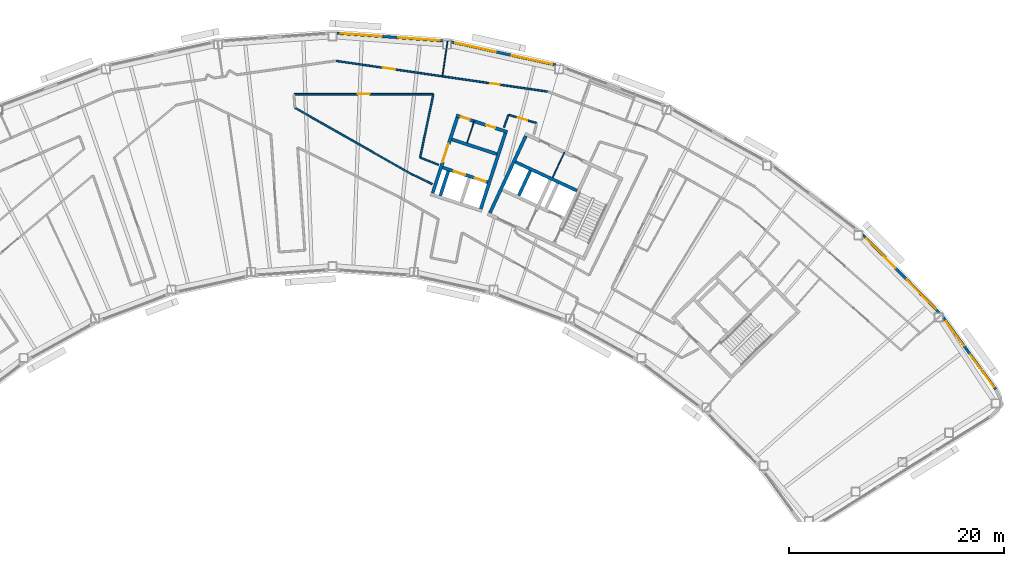
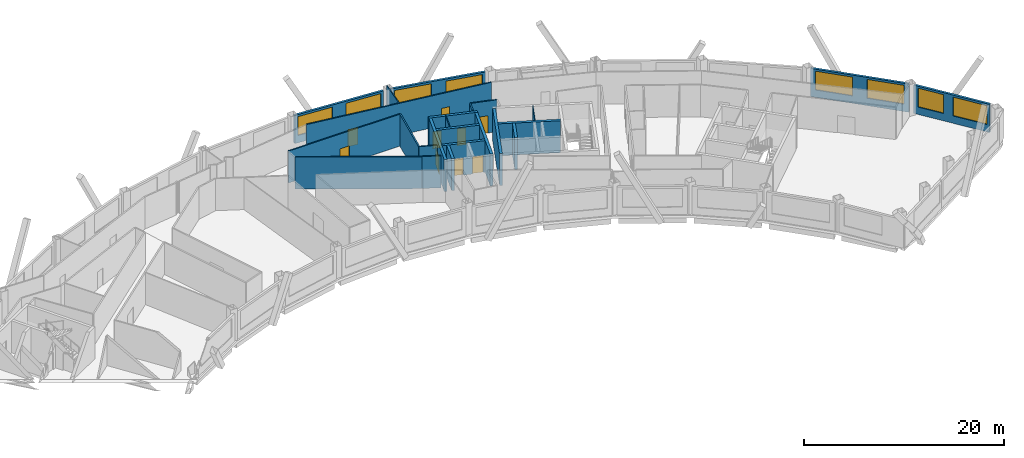
# One storey, part 10 of 14: 24 walls, 9 doors, 8 windows, 17 openings.
"""IFC4 building model written with IfcOpenShell, lengths in metres."""

from ifc_helpers import new_model, si_unit, direction, frame, frame_2d, origin, place, context, subcontext, project, spatial, rectangle, extrude, material, layer, layer_set, type_object, element, fill, save


model = new_model("IFC4")

# Units and contexts
model_context = context("Model", 3, precision=1e-05, world=origin(), true_north=direction((0.0, 1.0)))
body_context = subcontext(model_context, "Body", "Model", "MODEL_VIEW")
ifc_project = project(units=[si_unit("LENGTHUNIT", "METRE"), si_unit("AREAUNIT", "SQUARE_METRE"), si_unit("VOLUMEUNIT", "CUBIC_METRE"), si_unit("PLANEANGLEUNIT", "RADIAN"), si_unit("MASSUNIT", "GRAM", prefix="KILO")], contexts=[model_context])

# Site, building, storey
site_placement = place(None, origin())
site = spatial("IfcSite", under=ifc_project, at=site_placement, CompositionType="ELEMENT")
building_placement = place(site_placement, origin())
building = spatial("IfcBuilding", under=site, at=building_placement, Name="Tuul Gate Civic Tower", CompositionType="ELEMENT")
storey_placement = place(building_placement, frame((0.0, 0.0, 265.199951171875)))
storey = spatial("IfcBuildingStorey", under=building, at=storey_placement, Name="Level 60", CompositionType="ELEMENT", Elevation=265.199951171875)

# Walls
ifc_material_1 = material(Name="Concrete C50/60", Category="concrete")
ifc_layer_1 = layer(ifc_material_1, 0.300048828125)
ifc_layer_set_1 = layer_set([ifc_layer_1], Name="Concrete C50/60")
wall_type_1 = type_object("IfcWallType", Name="Core wall C50/60", PredefinedType="SHEAR", material=ifc_layer_set_1)
wall_1_placement = place(storey_placement, frame((33.75, -0.873779296875, 0.0), z_axis=(0.0, 0.0, 1.0), x_axis=(-0.906300917592, 0.422632992999, 0.0)))
element("IfcWall", 1, at=wall_1_placement, inside=storey, type_object=wall_type_1, Name="Core wall", PredefinedType="SHEAR", context=body_context, shape_type="SweptSolid", body=[
    extrude(rectangle(XDim=6.300048828125, YDim=0.300048828125, at=frame_2d((3.14990234375, 0.0))), origin(), (0.0, 0.0, 1.0), 3.900146484375),
])
wall_2_placement = place(storey_placement, frame((28.349365234375, -1.33447265625, 0.0), z_axis=(0.0, 0.0, 1.0), x_axis=(0.422612891016, 0.906310291427, 0.0)))
element("IfcWall", 2, at=wall_2_placement, inside=storey, type_object=wall_type_1, Name="Core wall", PredefinedType="SHEAR", context=body_context, shape_type="SweptSolid", body=[
    extrude(rectangle(XDim=2.550048828125, YDim=0.300048828125, at=frame_2d((1.27490234375, 0.0))), origin(), (0.0, 0.0, 1.0), 3.900146484375),
])
wall_3_placement = place(storey_placement, frame((25.66455078125, -2.951416015625, 0.0), z_axis=(0.0, 0.0, 1.0), x_axis=(0.422582604137, 0.906324413596, 0.0)))
element("IfcWall", 3, at=wall_3_placement, inside=storey, type_object=wall_type_1, Name="Core wall", PredefinedType="SHEAR", context=body_context, shape_type="SweptSolid", body=[
    extrude(rectangle(XDim=7.89990234375, YDim=0.300048828125, at=frame_2d((3.949951171875, 0.0))), origin(), (0.0, 0.0, 1.0), 3.900146484375),
])

# Wall, openings, doors
ifc_material_2 = material(Name="Gypsum board partition")
ifc_layer_2 = layer(ifc_material_2, 0.14990234375)
ifc_layer_set_2 = layer_set([ifc_layer_2], Name="Gypsum board partition")
wall_type_2 = type_object("IfcWallType", Name="Corridor wall P150", PredefinedType="PARTITIONING", material=ifc_layer_set_2)
wall_4_placement = place(storey_placement, frame((11.341064453125, 11.19580078125, 0.0), z_axis=(0.0, 0.0, 1.0), x_axis=(0.989615961435, -0.143736734602, 0.0)))
wall_4 = element("IfcWall", 4, at=wall_4_placement, inside=storey, type_object=wall_type_2, Name="p014", PredefinedType="PARTITIONING", context=body_context, shape_type="SweptSolid", body=[
    extrude(rectangle(XDim=19.92529296875, YDim=0.14990234375, at=frame_2d((9.962646484375, 0.0))), origin(), (0.0, 0.0, 1.0), 3.900146484375),
])
opening_1_placement = place(wall_4_placement, frame((14.52001953125, 0.0, 0.0)))
opening_1 = element("IfcOpeningElement", 5, at=opening_1_placement, cuts=wall_4, Name="Opening V-D03", PredefinedType="OPENING", context=body_context, shape_type="SweptSolid", body=[
    extrude(rectangle(XDim=0.89990234375, YDim=2.10009765625, at=frame_2d((0.449951171875, 1.050048828125))), frame((0.0, 0.0849609375, 0.0), z_axis=(0.0, -1.0, 0.0), x_axis=(1.0, 0.0, 0.0)), (0.0, 0.0, 1.0), 0.169921875),
])
opening_2_placement = place(wall_4_placement, frame((4.457275390625, 0.0, 0.0)))
opening_2 = element("IfcOpeningElement", 6, at=opening_2_placement, cuts=wall_4, Name="Opening V-D04", PredefinedType="OPENING", context=body_context, shape_type="SweptSolid", body=[
    extrude(rectangle(XDim=1.10009765625, YDim=2.10009765625, at=frame_2d((0.550048828125, 1.050048828125))), frame((0.0, 0.0849609375, 0.0), z_axis=(0.0, -1.0, 0.0), x_axis=(1.0, 0.0, 0.0)), (0.0, 0.0, 1.0), 0.169921875),
])
ifc_material_3 = material(Name="Timber door leaf", Category="wood")
door_type_1 = type_object("IfcDoorType", Name="Door D09", OperationType="NOTDEFINED", PredefinedType="DOOR", material=ifc_material_3)
door_1_placement = place(opening_1_placement, origin())
door_1 = element("IfcDoor", 7, at=door_1_placement, inside=storey, type_object=door_type_1, Name="Door V-D03", OperationType="SINGLE_SWING_RIGHT", OverallHeight=2.10009765625, OverallWidth=0.89990234375, PredefinedType="DOOR", context=body_context, shape_type="SweptSolid", body=[
    extrude(rectangle(XDim=0.89990234375, YDim=2.10009765625, at=frame_2d((0.449951171875, 1.050048828125))), frame((0.0, 0.02490234375, 0.0), z_axis=(0.0, -1.0, 0.0), x_axis=(1.0, 0.0, 0.0)), (0.0, 0.0, 1.0), 0.050048828125),
])
fill(opening_1, door_1)
ifc_material_4 = material(Name="Timber door leaf", Category="wood")
door_type_2 = type_object("IfcDoorType", Name="Door D11", OperationType="NOTDEFINED", PredefinedType="DOOR", material=ifc_material_4)
door_2_placement = place(opening_2_placement, origin())
door_2 = element("IfcDoor", 8, at=door_2_placement, inside=storey, type_object=door_type_2, Name="Door V-D04", OperationType="SINGLE_SWING_RIGHT", OverallHeight=2.10009765625, OverallWidth=1.10009765625, PredefinedType="DOOR", context=body_context, shape_type="SweptSolid", body=[
    extrude(rectangle(XDim=1.10009765625, YDim=2.10009765625, at=frame_2d((0.550048828125, 1.050048828125))), frame((0.0, 0.02490234375, 0.0), z_axis=(0.0, -1.0, 0.0), x_axis=(1.0, 0.0, 0.0)), (0.0, 0.0, 1.0), 0.050048828125),
])
fill(opening_2, door_2)

# Walls
wall_5_placement = place(storey_placement, frame((7.5400390625, 6.827880859375, 0.0), z_axis=(0.0, 0.0, 1.0), x_axis=(0.869039882895, -0.494742035749, 0.0)))
element("IfcWall", 9, at=wall_5_placement, inside=storey, type_object=wall_type_2, Name="p022", PredefinedType="PARTITIONING", context=body_context, shape_type="SweptSolid", body=[
    extrude(rectangle(XDim=12.6728515625, YDim=0.14990234375, at=frame_2d((6.33642578125, 0.0))), origin(), (0.0, 0.0, 1.0), 3.900146484375),
])
wall_6_placement = place(storey_placement, frame((18.566162109375, 0.58154296875, 0.0), z_axis=(0.0, 0.0, 1.0), x_axis=(0.899119721773, -0.437702782625, 0.0)))
element("IfcWall", 10, at=wall_6_placement, inside=storey, type_object=wall_type_2, Name="p029", PredefinedType="PARTITIONING", context=body_context, shape_type="SweptSolid", body=[
    extrude(rectangle(XDim=1.935546875, YDim=0.14990234375, at=frame_2d((0.9677734375, 0.0))), origin(), (0.0, 0.0, 1.0), 3.900146484375),
])
wall_7_placement = place(storey_placement, frame((26.982421875, 4.993896484375, 0.0), z_axis=(0.0, 0.0, 1.0), x_axis=(0.321299495515, 0.9469776313, 0.0)))
element("IfcWall", 11, at=wall_7_placement, inside=storey, type_object=wall_type_2, Name="p082", PredefinedType="PARTITIONING", context=body_context, shape_type="SweptSolid", body=[
    extrude(rectangle(XDim=1.24072265625, YDim=0.14990234375, at=frame_2d((0.620361328125, 0.0))), origin(), (0.0, 0.0, 1.0), 3.900146484375),
])

# Wall, opening, door
wall_8_placement = place(storey_placement, frame((27.40576171875, 6.181640625, 0.0), z_axis=(0.0, 0.0, 1.0), x_axis=(0.958790837754, -0.284112881508, 0.0)))
wall_8 = element("IfcWall", 12, at=wall_8_placement, inside=storey, type_object=wall_type_2, Name="p083", PredefinedType="PARTITIONING", context=body_context, shape_type="SweptSolid", body=[
    extrude(rectangle(XDim=2.70849609375, YDim=0.14990234375, at=frame_2d((1.354248046875, 0.0))), origin(), (0.0, 0.0, 1.0), 3.900146484375),
])
opening_3_placement = place(wall_8_placement, frame((0.904296875, 0.0, 0.0)))
opening_3 = element("IfcOpeningElement", 13, at=opening_3_placement, cuts=wall_8, Name="Opening V-D16", PredefinedType="OPENING", context=body_context, shape_type="SweptSolid", body=[
    extrude(rectangle(XDim=0.89990234375, YDim=2.10009765625, at=frame_2d((0.449951171875, 1.050048828125))), frame((0.0, 0.0849609375, 0.0), z_axis=(0.0, -1.0, 0.0), x_axis=(1.0, 0.0, 0.0)), (0.0, 0.0, 1.0), 0.169921875),
])
door_3_placement = place(opening_3_placement, frame((0.89990234375, 0.0, 0.0), z_axis=(0.0, 0.0, 1.0), x_axis=(-1.0, 0.0, 0.0)))
door_3 = element("IfcDoor", 14, at=door_3_placement, inside=storey, type_object=door_type_1, Name="Door V-D16", OperationType="SINGLE_SWING_LEFT", OverallHeight=2.10009765625, OverallWidth=0.89990234375, PredefinedType="DOOR", context=body_context, shape_type="SweptSolid", body=[
    extrude(rectangle(XDim=0.89990234375, YDim=2.10009765625, at=frame_2d((0.449951171875, 1.050048828125))), frame((0.0, 0.02490234375, 0.0), z_axis=(0.0, -1.0, 0.0), x_axis=(1.0, 0.0, 0.0)), (0.0, 0.0, 1.0), 0.050048828125),
])
fill(opening_3, door_3)

wall_9_placement = place(storey_placement, frame((7.464111328125, 8.092529296875, 0.0), z_axis=(0.0, 0.0, 1.0), x_axis=(0.999999999286, 3.7795752e-05, 0.0)))
wall_9 = element("IfcWall", 15, at=wall_9_placement, inside=storey, type_object=wall_type_2, Name="p095", PredefinedType="PARTITIONING", context=body_context, shape_type="SweptSolid", body=[
    extrude(rectangle(XDim=12.9189453125, YDim=0.14990234375, at=frame_2d((6.45947265625, 0.0))), origin(), (0.0, 0.0, 1.0), 3.900146484375),
])
opening_4_placement = place(wall_9_placement, frame((5.909423828125, 0.0, 0.0)))
opening_4 = element("IfcOpeningElement", 16, at=opening_4_placement, cuts=wall_9, Name="Opening V-D21", PredefinedType="OPENING", context=body_context, shape_type="SweptSolid", body=[
    extrude(rectangle(XDim=1.10009765625, YDim=2.10009765625, at=frame_2d((0.550048828125, 1.050048828125))), frame((0.0, 0.0849609375, 0.0), z_axis=(0.0, -1.0, 0.0), x_axis=(1.0, 0.0, 0.0)), (0.0, 0.0, 1.0), 0.169921875),
])
door_4_placement = place(opening_4_placement, frame((1.10009765625, 0.0, 0.0), z_axis=(0.0, 0.0, 1.0), x_axis=(-1.0, 0.0, 0.0)))
door_4 = element("IfcDoor", 17, at=door_4_placement, inside=storey, type_object=door_type_2, Name="Door V-D21", OperationType="SINGLE_SWING_LEFT", OverallHeight=2.10009765625, OverallWidth=1.10009765625, PredefinedType="DOOR", context=body_context, shape_type="SweptSolid", body=[
    extrude(rectangle(XDim=1.10009765625, YDim=2.10009765625, at=frame_2d((0.550048828125, 1.050048828125))), frame((0.0, 0.02490234375, 0.0), z_axis=(0.0, -1.0, 0.0), x_axis=(1.0, 0.0, 0.0)), (0.0, 0.0, 1.0), 0.050048828125),
])
fill(opening_4, door_4)

# Walls
wall_10_placement = place(storey_placement, frame((19.179443359375, 2.2119140625, 0.0), z_axis=(0.0, 0.0, 1.0), x_axis=(0.204426766244, 0.978881860718, 0.0)))
element("IfcWall", 18, at=wall_10_placement, inside=storey, type_object=wall_type_2, Name="p096", PredefinedType="PARTITIONING", context=body_context, shape_type="SweptSolid", body=[
    extrude(rectangle(XDim=5.9833984375, YDim=0.14990234375, at=frame_2d((2.99169921875, 0.0))), origin(), (0.0, 0.0, 1.0), 3.900146484375),
])
wall_11_placement = place(storey_placement, frame((19.179931640625, 2.211181640625, 0.0), z_axis=(0.0, 0.0, 1.0), x_axis=(0.928632455331, -0.371001028175, 0.0)))
element("IfcWall", 19, at=wall_11_placement, inside=storey, type_object=wall_type_2, Name="p097", PredefinedType="PARTITIONING", context=body_context, shape_type="SweptSolid", body=[
    extrude(rectangle(XDim=1.836669921875, YDim=0.14990234375, at=frame_2d((0.91845703125, 0.0))), origin(), (0.0, 0.0, 1.0), 3.900146484375),
])

# Wall, openings, windows
ifc_material_5 = material(Name="Precast concrete C40/50", Category="concrete")
ifc_layer_3 = layer(ifc_material_5, 0.25)
ifc_layer_set_3 = layer_set([ifc_layer_3], Name="Precast concrete C40/50")
wall_type_3 = type_object("IfcWallType", Name="External wall", PredefinedType="STANDARD", material=ifc_layer_set_3)
wall_12_placement = place(storey_placement, frame((72.719970703125, -19.37060546875, 0.0), z_axis=(0.0, 0.0, 1.0), x_axis=(-0.589821256366, 0.807533829346, 0.0)))
wall_12 = element("IfcWall", 20, at=wall_12_placement, inside=storey, type_object=wall_type_3, Name="External wall", PredefinedType="STANDARD", context=body_context, shape_type="SweptSolid", body=[
    extrude(rectangle(XDim=8.33642578125, YDim=0.25, at=frame_2d((4.168212890625, 0.0))), origin(), (0.0, 0.0, 1.0), 3.449951171875),
])
opening_5_placement = place(wall_12_placement, frame((0.30078125, 0.0, 0.89990234375)))
opening_5 = element("IfcOpeningElement", 21, at=opening_5_placement, cuts=wall_12, Name="Opening W21", PredefinedType="OPENING", context=body_context, shape_type="SweptSolid", body=[
    extrude(rectangle(XDim=3.699951171875, YDim=2.300048828125, at=frame_2d((1.85009765625, 1.14990234375))), frame((0.0, 0.135009765625, 0.0), z_axis=(0.0, -1.0, 0.0), x_axis=(1.0, 0.0, 0.0)), (0.0, 0.0, 1.0), 0.27001953125),
])
opening_6_placement = place(wall_12_placement, frame((5.052001953125, 0.0, 0.89990234375)))
opening_6 = element("IfcOpeningElement", 22, at=opening_6_placement, cuts=wall_12, Name="Opening W23", PredefinedType="OPENING", context=body_context, shape_type="SweptSolid", body=[
    extrude(rectangle(XDim=2.800048828125, YDim=2.300048828125, at=frame_2d((1.39990234375, 1.14990234375))), frame((0.0, 0.135009765625, 0.0), z_axis=(0.0, -1.0, 0.0), x_axis=(1.0, 0.0, 0.0)), (0.0, 0.0, 1.0), 0.27001953125),
])
ifc_material_6 = material(Name="Glass", Category="glass")
window_type_1 = type_object("IfcWindowType", Name="Window W21 3700 x 2300", PartitioningType="SINGLE_PANEL", PredefinedType="WINDOW", material=ifc_material_6)
window_1_placement = place(opening_5_placement, origin())
window_1 = element("IfcWindow", 23, at=window_1_placement, inside=storey, type_object=window_type_1, Name="Window", OverallHeight=2.300048828125, OverallWidth=3.699951171875, PartitioningType="SINGLE_PANEL", PredefinedType="WINDOW", context=body_context, shape_type="SweptSolid", body=[
    extrude(rectangle(XDim=3.699951171875, YDim=2.300048828125, at=frame_2d((1.85009765625, 1.14990234375))), frame((0.0, 0.030029296875, 0.0), z_axis=(0.0, -1.0, 0.0), x_axis=(1.0, 0.0, 0.0)), (0.0, 0.0, 1.0), 0.06005859375),
])
fill(opening_5, window_1)
ifc_material_7 = material(Name="Glass", Category="glass")
window_type_2 = type_object("IfcWindowType", Name="Window W23 2800 x 2300", PartitioningType="SINGLE_PANEL", PredefinedType="WINDOW", material=ifc_material_7)
window_2_placement = place(opening_6_placement, origin())
window_2 = element("IfcWindow", 24, at=window_2_placement, inside=storey, type_object=window_type_2, Name="Window", OverallHeight=2.300048828125, OverallWidth=2.800048828125, PartitioningType="SINGLE_PANEL", PredefinedType="WINDOW", context=body_context, shape_type="SweptSolid", body=[
    extrude(rectangle(XDim=2.800048828125, YDim=2.300048828125, at=frame_2d((1.39990234375, 1.14990234375))), frame((0.0, 0.030029296875, 0.0), z_axis=(0.0, -1.0, 0.0), x_axis=(1.0, 0.0, 0.0)), (0.0, 0.0, 1.0), 0.06005859375),
])
fill(opening_6, window_2)

wall_13_placement = place(storey_placement, frame((67.466064453125, -12.241943359375, 0.0), z_axis=(0.0, 0.0, 1.0), x_axis=(-0.700008693155, 0.714134321754, 0.0)))
wall_13 = element("IfcWall", 25, at=wall_13_placement, inside=storey, type_object=wall_type_3, Name="External wall", PredefinedType="STANDARD", context=body_context, shape_type="SweptSolid", body=[
    extrude(rectangle(XDim=10.197265625, YDim=0.25, at=frame_2d((5.0986328125, 0.0))), origin(), (0.0, 0.0, 1.0), 3.449951171875),
])
opening_7_placement = place(wall_13_placement, frame((0.487060546875, 0.0, 0.89990234375)))
opening_7 = element("IfcOpeningElement", 26, at=opening_7_placement, cuts=wall_13, Name="Opening W22", PredefinedType="OPENING", context=body_context, shape_type="SweptSolid", body=[
    extrude(rectangle(XDim=3.85009765625, YDim=2.300048828125, at=frame_2d((1.925048828125, 1.14990234375))), frame((0.0, 0.135009765625, 0.0), z_axis=(0.0, -1.0, 0.0), x_axis=(1.0, 0.0, 0.0)), (0.0, 0.0, 1.0), 0.27001953125),
])
opening_8_placement = place(wall_13_placement, frame((5.8583984375, 0.0, 0.89990234375)))
opening_8 = element("IfcOpeningElement", 27, at=opening_8_placement, cuts=wall_13, Name="Opening W22", PredefinedType="OPENING", context=body_context, shape_type="SweptSolid", body=[
    extrude(rectangle(XDim=3.85009765625, YDim=2.300048828125, at=frame_2d((1.925048828125, 1.14990234375))), frame((0.0, 0.135009765625, 0.0), z_axis=(0.0, -1.0, 0.0), x_axis=(1.0, 0.0, 0.0)), (0.0, 0.0, 1.0), 0.27001953125),
])
ifc_material_8 = material(Name="Glass", Category="glass")
window_type_3 = type_object("IfcWindowType", Name="Window W22 3850 x 2300", PartitioningType="SINGLE_PANEL", PredefinedType="WINDOW", material=ifc_material_8)
window_3_placement = place(opening_7_placement, origin())
window_3 = element("IfcWindow", 28, at=window_3_placement, inside=storey, type_object=window_type_3, Name="Window", OverallHeight=2.300048828125, OverallWidth=3.85009765625, PartitioningType="SINGLE_PANEL", PredefinedType="WINDOW", context=body_context, shape_type="SweptSolid", body=[
    extrude(rectangle(XDim=3.85009765625, YDim=2.300048828125, at=frame_2d((1.925048828125, 1.14990234375))), frame((0.0, 0.030029296875, 0.0), z_axis=(0.0, -1.0, 0.0), x_axis=(1.0, 0.0, 0.0)), (0.0, 0.0, 1.0), 0.06005859375),
])
fill(opening_7, window_3)
window_4_placement = place(opening_8_placement, origin())
window_4 = element("IfcWindow", 29, at=window_4_placement, inside=storey, type_object=window_type_3, Name="Window", OverallHeight=2.300048828125, OverallWidth=3.85009765625, PartitioningType="SINGLE_PANEL", PredefinedType="WINDOW", context=body_context, shape_type="SweptSolid", body=[
    extrude(rectangle(XDim=3.85009765625, YDim=2.300048828125, at=frame_2d((1.925048828125, 1.14990234375))), frame((0.0, 0.030029296875, 0.0), z_axis=(0.0, -1.0, 0.0), x_axis=(1.0, 0.0, 0.0)), (0.0, 0.0, 1.0), 0.06005859375),
])
fill(opening_8, window_4)

wall_14_placement = place(storey_placement, frame((31.80029296875, 10.804931640625, 0.0), z_axis=(0.0, 0.0, 1.0), x_axis=(-0.976562454365, 0.215234227585, 0.0)))
wall_14 = element("IfcWall", 30, at=wall_14_placement, inside=storey, type_object=wall_type_3, Name="External wall", PredefinedType="STANDARD", context=body_context, shape_type="SweptSolid", body=[
    extrude(rectangle(XDim=9.95361328125, YDim=0.25, at=frame_2d((4.976806640625, 0.0))), origin(), (0.0, 0.0, 1.0), 3.449951171875),
])
opening_9_placement = place(wall_14_placement, frame((0.34228515625, 0.0, 0.89990234375)))
opening_9 = element("IfcOpeningElement", 31, at=opening_9_placement, cuts=wall_14, Name="Opening W22", PredefinedType="OPENING", context=body_context, shape_type="SweptSolid", body=[
    extrude(rectangle(XDim=3.85009765625, YDim=2.300048828125, at=frame_2d((1.925048828125, 1.14990234375))), frame((0.0, 0.135009765625, 0.0), z_axis=(0.0, -1.0, 0.0), x_axis=(1.0, 0.0, 0.0)), (0.0, 0.0, 1.0), 0.27001953125),
])
opening_10_placement = place(wall_14_placement, frame((5.713623046875, 0.0, 0.89990234375)))
opening_10 = element("IfcOpeningElement", 32, at=opening_10_placement, cuts=wall_14, Name="Opening W22", PredefinedType="OPENING", context=body_context, shape_type="SweptSolid", body=[
    extrude(rectangle(XDim=3.85009765625, YDim=2.300048828125, at=frame_2d((1.925048828125, 1.14990234375))), frame((0.0, 0.135009765625, 0.0), z_axis=(0.0, -1.0, 0.0), x_axis=(1.0, 0.0, 0.0)), (0.0, 0.0, 1.0), 0.27001953125),
])
window_5_placement = place(opening_9_placement, origin())
window_5 = element("IfcWindow", 33, at=window_5_placement, inside=storey, type_object=window_type_3, Name="Window", OverallHeight=2.300048828125, OverallWidth=3.85009765625, PartitioningType="SINGLE_PANEL", PredefinedType="WINDOW", context=body_context, shape_type="SweptSolid", body=[
    extrude(rectangle(XDim=3.85009765625, YDim=2.300048828125, at=frame_2d((1.925048828125, 1.14990234375))), frame((0.0, 0.030029296875, 0.0), z_axis=(0.0, -1.0, 0.0), x_axis=(1.0, 0.0, 0.0)), (0.0, 0.0, 1.0), 0.06005859375),
])
fill(opening_9, window_5)
window_6_placement = place(opening_10_placement, origin())
window_6 = element("IfcWindow", 34, at=window_6_placement, inside=storey, type_object=window_type_3, Name="Window", OverallHeight=2.300048828125, OverallWidth=3.85009765625, PartitioningType="SINGLE_PANEL", PredefinedType="WINDOW", context=body_context, shape_type="SweptSolid", body=[
    extrude(rectangle(XDim=3.85009765625, YDim=2.300048828125, at=frame_2d((1.925048828125, 1.14990234375))), frame((0.0, 0.030029296875, 0.0), z_axis=(0.0, -1.0, 0.0), x_axis=(1.0, 0.0, 0.0)), (0.0, 0.0, 1.0), 0.06005859375),
])
fill(opening_10, window_6)

wall_15_placement = place(storey_placement, frame((21.280029296875, 13.057373046875, 0.0), z_axis=(0.0, 0.0, 1.0), x_axis=(-0.99738717169, 0.072241468338, 0.0)))
wall_15 = element("IfcWall", 35, at=wall_15_placement, inside=storey, type_object=wall_type_3, Name="External wall", PredefinedType="STANDARD", context=body_context, shape_type="SweptSolid", body=[
    extrude(rectangle(XDim=9.875, YDim=0.25, at=frame_2d((4.9375, 0.0))), origin(), (0.0, 0.0, 1.0), 3.449951171875),
])
opening_11_placement = place(wall_15_placement, frame((0.303466796875, 0.0, 0.89990234375)))
opening_11 = element("IfcOpeningElement", 36, at=opening_11_placement, cuts=wall_15, Name="Opening W22", PredefinedType="OPENING", context=body_context, shape_type="SweptSolid", body=[
    extrude(rectangle(XDim=3.85009765625, YDim=2.300048828125, at=frame_2d((1.925048828125, 1.14990234375))), frame((0.0, 0.135009765625, 0.0), z_axis=(0.0, -1.0, 0.0), x_axis=(1.0, 0.0, 0.0)), (0.0, 0.0, 1.0), 0.27001953125),
])
opening_12_placement = place(wall_15_placement, frame((5.67431640625, 0.0, 0.89990234375)))
opening_12 = element("IfcOpeningElement", 37, at=opening_12_placement, cuts=wall_15, Name="Opening W22", PredefinedType="OPENING", context=body_context, shape_type="SweptSolid", body=[
    extrude(rectangle(XDim=3.85009765625, YDim=2.300048828125, at=frame_2d((1.925048828125, 1.14990234375))), frame((0.0, 0.135009765625, 0.0), z_axis=(0.0, -1.0, 0.0), x_axis=(1.0, 0.0, 0.0)), (0.0, 0.0, 1.0), 0.27001953125),
])
window_7_placement = place(opening_11_placement, origin())
window_7 = element("IfcWindow", 38, at=window_7_placement, inside=storey, type_object=window_type_3, Name="Window", OverallHeight=2.300048828125, OverallWidth=3.85009765625, PartitioningType="SINGLE_PANEL", PredefinedType="WINDOW", context=body_context, shape_type="SweptSolid", body=[
    extrude(rectangle(XDim=3.85009765625, YDim=2.300048828125, at=frame_2d((1.925048828125, 1.14990234375))), frame((0.0, 0.030029296875, 0.0), z_axis=(0.0, -1.0, 0.0), x_axis=(1.0, 0.0, 0.0)), (0.0, 0.0, 1.0), 0.06005859375),
])
fill(opening_11, window_7)
window_8_placement = place(opening_12_placement, origin())
window_8 = element("IfcWindow", 39, at=window_8_placement, inside=storey, type_object=window_type_3, Name="Window", OverallHeight=2.300048828125, OverallWidth=3.85009765625, PartitioningType="SINGLE_PANEL", PredefinedType="WINDOW", context=body_context, shape_type="SweptSolid", body=[
    extrude(rectangle(XDim=3.85009765625, YDim=2.300048828125, at=frame_2d((1.925048828125, 1.14990234375))), frame((0.0, 0.030029296875, 0.0), z_axis=(0.0, -1.0, 0.0), x_axis=(1.0, 0.0, 0.0)), (0.0, 0.0, 1.0), 0.06005859375),
])
fill(opening_12, window_8)

# Wall, openings, doors
ifc_material_9 = material(Name="Concrete C40/50", Category="concrete")
ifc_layer_4 = layer(ifc_material_9, 0.300048828125)
ifc_layer_set_4 = layer_set([ifc_layer_4], Name="Concrete C40/50")
wall_type_4 = type_object("IfcWallType", Name="Lift shaft wall C40/50", PredefinedType="STANDARD", material=ifc_layer_set_4)
wall_16_placement = place(storey_placement, frame((25.460693359375, -0.0859375, 0.0), z_axis=(0.0, 0.0, 1.0), x_axis=(-0.951063829732, 0.308994485023, 0.0)))
wall_16 = element("IfcWall", 40, at=wall_16_placement, inside=storey, type_object=wall_type_4, Name="Shaft wall", PredefinedType="STANDARD", context=body_context, shape_type="SweptSolid", body=[
    extrude(rectangle(XDim=4.400146484375, YDim=0.300048828125, at=frame_2d((2.2001953125, 0.0))), origin(), (0.0, 0.0, 1.0), 3.900146484375),
])
opening_13_placement = place(wall_16_placement, frame((0.175048828125, 0.0, 0.0)))
opening_13 = element("IfcOpeningElement", 41, at=opening_13_placement, cuts=wall_16, Name="Opening LD-H2", PredefinedType="OPENING", context=body_context, shape_type="SweptSolid", body=[
    extrude(rectangle(XDim=1.10009765625, YDim=2.10009765625, at=frame_2d((0.550048828125, 1.050048828125))), frame((0.0, 0.16015625, 0.0), z_axis=(0.0, -1.0, 0.0), x_axis=(1.0, 0.0, 0.0)), (0.0, 0.0, 1.0), 0.320068359375),
])
opening_14_placement = place(wall_16_placement, frame((2.22509765625, 0.0, 0.0)))
opening_14 = element("IfcOpeningElement", 42, at=opening_14_placement, cuts=wall_16, Name="Opening LD-H3", PredefinedType="OPENING", context=body_context, shape_type="SweptSolid", body=[
    extrude(rectangle(XDim=1.10009765625, YDim=2.10009765625, at=frame_2d((0.550048828125, 1.050048828125))), frame((0.0, 0.16015625, 0.0), z_axis=(0.0, -1.0, 0.0), x_axis=(1.0, 0.0, 0.0)), (0.0, 0.0, 1.0), 0.320068359375),
])
ifc_material_10 = material(Name="Stainless steel", Category="steel")
door_type_3 = type_object("IfcDoorType", Name="Landing door", OperationType="DOUBLE_DOOR_SLIDING", PredefinedType="DOOR", material=ifc_material_10)
door_5_placement = place(opening_13_placement, origin())
door_5 = element("IfcDoor", 43, at=door_5_placement, inside=storey, type_object=door_type_3, Name="High-rise lift H2 landing door", OperationType="DOUBLE_DOOR_SLIDING", OverallHeight=2.10009765625, OverallWidth=1.10009765625, PredefinedType="DOOR", context=body_context, shape_type="SweptSolid", body=[
    extrude(rectangle(XDim=1.10009765625, YDim=2.10009765625, at=frame_2d((0.550048828125, 1.050048828125))), frame((0.0, 0.02490234375, 0.0), z_axis=(0.0, -1.0, 0.0), x_axis=(1.0, 0.0, 0.0)), (0.0, 0.0, 1.0), 0.050048828125),
])
fill(opening_13, door_5)
door_6_placement = place(opening_14_placement, origin())
door_6 = element("IfcDoor", 44, at=door_6_placement, inside=storey, type_object=door_type_3, Name="High-rise lift H3 landing door", OperationType="DOUBLE_DOOR_SLIDING", OverallHeight=2.10009765625, OverallWidth=1.10009765625, PredefinedType="DOOR", context=body_context, shape_type="SweptSolid", body=[
    extrude(rectangle(XDim=1.10009765625, YDim=2.10009765625, at=frame_2d((0.550048828125, 1.050048828125))), frame((0.0, 0.02490234375, 0.0), z_axis=(0.0, -1.0, 0.0), x_axis=(1.0, 0.0, 0.0)), (0.0, 0.0, 1.0), 0.050048828125),
])
fill(opening_14, door_6)

# Wall
wall_17_placement = place(storey_placement, frame((26.310546875, 2.529541015625, 0.0), z_axis=(0.0, 0.0, 1.0), x_axis=(-0.951058531764, 0.30901079133, 0.0)))
element("IfcWall", 45, at=wall_17_placement, inside=storey, type_object=wall_type_4, Name="Shaft wall", PredefinedType="STANDARD", context=body_context, shape_type="SweptSolid", body=[
    extrude(rectangle(XDim=4.39990234375, YDim=0.300048828125, at=frame_2d((2.199951171875, 0.0))), origin(), (0.0, 0.0, 1.0), 3.900146484375),
])

# Wall, openings, doors
wall_18_placement = place(storey_placement, frame((27.29150390625, 4.57666015625, 0.0), z_axis=(0.0, 0.0, 1.0), x_axis=(-0.951067792613, 0.308982287281, 0.0)))
wall_18 = element("IfcWall", 46, at=wall_18_placement, inside=storey, type_object=wall_type_4, Name="Shaft wall", PredefinedType="STANDARD", context=body_context, shape_type="SweptSolid", body=[
    extrude(rectangle(XDim=5.0, YDim=0.300048828125, at=frame_2d((2.5, 0.0))), origin(), (0.0, 0.0, 1.0), 3.900146484375),
])
opening_15_placement = place(wall_18_placement, frame((1.175048828125, 0.0, 0.0)))
opening_15 = element("IfcOpeningElement", 47, at=opening_15_placement, cuts=wall_18, Name="Opening V-D32", PredefinedType="OPENING", context=body_context, shape_type="SweptSolid", body=[
    extrude(rectangle(XDim=0.89990234375, YDim=2.10009765625, at=frame_2d((0.449951171875, 1.050048828125))), frame((0.0, 0.16015625, 0.0), z_axis=(0.0, -1.0, 0.0), x_axis=(1.0, 0.0, 0.0)), (0.0, 0.0, 1.0), 0.320068359375),
])
opening_16_placement = place(wall_18_placement, frame((3.675048828125, 0.0, 0.0)))
opening_16 = element("IfcOpeningElement", 48, at=opening_16_placement, cuts=wall_18, Name="Opening V-D33", PredefinedType="OPENING", context=body_context, shape_type="SweptSolid", body=[
    extrude(rectangle(XDim=0.89990234375, YDim=2.10009765625, at=frame_2d((0.449951171875, 1.050048828125))), frame((0.0, 0.16015625, 0.0), z_axis=(0.0, -1.0, 0.0), x_axis=(1.0, 0.0, 0.0)), (0.0, 0.0, 1.0), 0.320068359375),
])
door_7_placement = place(opening_15_placement, origin())
door_7 = element("IfcDoor", 49, at=door_7_placement, inside=storey, type_object=door_type_1, Name="Door V-D32", OperationType="SINGLE_SWING_LEFT", OverallHeight=2.10009765625, OverallWidth=0.89990234375, PredefinedType="DOOR", context=body_context, shape_type="SweptSolid", body=[
    extrude(rectangle(XDim=0.89990234375, YDim=2.10009765625, at=frame_2d((0.449951171875, 1.050048828125))), frame((0.0, 0.02490234375, 0.0), z_axis=(0.0, -1.0, 0.0), x_axis=(1.0, 0.0, 0.0)), (0.0, 0.0, 1.0), 0.050048828125),
])
fill(opening_15, door_7)
door_8_placement = place(opening_16_placement, origin())
door_8 = element("IfcDoor", 50, at=door_8_placement, inside=storey, type_object=door_type_1, Name="Door V-D33", OperationType="SINGLE_SWING_RIGHT", OverallHeight=2.10009765625, OverallWidth=0.89990234375, PredefinedType="DOOR", context=body_context, shape_type="SweptSolid", body=[
    extrude(rectangle(XDim=0.89990234375, YDim=2.10009765625, at=frame_2d((0.449951171875, 1.050048828125))), frame((0.0, 0.02490234375, 0.0), z_axis=(0.0, -1.0, 0.0), x_axis=(1.0, 0.0, 0.0)), (0.0, 0.0, 1.0), 0.050048828125),
])
fill(opening_16, door_8)

# Walls
wall_19_placement = place(storey_placement, frame((24.815185546875, -2.557373046875, 0.0), z_axis=(0.0, 0.0, 1.0), x_axis=(0.30907264409, 0.951038432807, 0.0)))
element("IfcWall", 51, at=wall_19_placement, inside=storey, type_object=wall_type_4, Name="Shaft wall", PredefinedType="STANDARD", context=body_context, shape_type="SweptSolid", body=[
    extrude(rectangle(XDim=7.39990234375, YDim=0.300048828125, at=frame_2d((3.699951171875, 0.0))), origin(), (0.0, 0.0, 1.0), 3.900146484375),
])
wall_20_placement = place(storey_placement, frame((21.058349609375, -1.336669921875, 0.0), z_axis=(0.0, 0.0, 1.0), x_axis=(0.309138975195, 0.951016873675, 0.0)))
element("IfcWall", 52, at=wall_20_placement, inside=storey, type_object=wall_type_4, Name="Shaft wall", PredefinedType="STANDARD", context=body_context, shape_type="SweptSolid", body=[
    extrude(rectangle(XDim=2.400146484375, YDim=0.300048828125, at=frame_2d((1.2001953125, 0.0))), origin(), (0.0, 0.0, 1.0), 3.900146484375),
])

# Wall, opening, door
wall_21_placement = place(storey_placement, frame((20.34521484375, -1.10498046875, 0.0), z_axis=(0.0, 0.0, 1.0), x_axis=(0.30907264409, 0.951038432807, 0.0)))
wall_21 = element("IfcWall", 53, at=wall_21_placement, inside=storey, type_object=wall_type_4, Name="Shaft wall", PredefinedType="STANDARD", context=body_context, shape_type="SweptSolid", body=[
    extrude(rectangle(XDim=7.39990234375, YDim=0.300048828125, at=frame_2d((3.699951171875, 0.0))), origin(), (0.0, 0.0, 1.0), 3.900146484375),
])
opening_17_placement = place(wall_21_placement, frame((3.02490234375, 0.0, 0.0)))
opening_17 = element("IfcOpeningElement", 54, at=opening_17_placement, cuts=wall_21, Name="Opening LB-E4-LOBBY-1", PredefinedType="OPENING", context=body_context, shape_type="SweptSolid", body=[
    extrude(rectangle(XDim=1.800048828125, YDim=2.10009765625, at=frame_2d((0.89990234375, 1.050048828125))), frame((0.0, 0.16015625, 0.0), z_axis=(0.0, -1.0, 0.0), x_axis=(1.0, 0.0, 0.0)), (0.0, 0.0, 1.0), 0.320068359375),
])
ifc_material_11 = material(Name="Steel", Category="steel")
door_type_4 = type_object("IfcDoorType", Name="Lobby door", OperationType="DOUBLE_DOOR_SINGLE_SWING", PredefinedType="DOOR", material=ifc_material_11)
door_9_placement = place(opening_17_placement, frame((1.800048828125, 0.0, 0.0), z_axis=(0.0, 0.0, 1.0), x_axis=(-1.0, 0.0, 0.0)))
door_9 = element("IfcDoor", 55, at=door_9_placement, inside=storey, type_object=door_type_4, Name="Lobby door E4-LOBBY", OperationType="DOUBLE_DOOR_SINGLE_SWING", OverallHeight=2.10009765625, OverallWidth=1.800048828125, PredefinedType="DOOR", context=body_context, shape_type="SweptSolid", body=[
    extrude(rectangle(XDim=1.800048828125, YDim=2.10009765625, at=frame_2d((0.900146484375, 1.050048828125))), frame((0.0, 0.02490234375, 0.0), z_axis=(0.0, -1.0, 0.0), x_axis=(1.0, 0.0, 0.0)), (0.0, 0.0, 1.0), 0.050048828125),
])
fill(opening_17, door_9)

# Walls
ifc_material_12 = material(Name="Gypsum board partition")
ifc_layer_5 = layer(ifc_material_12, 0.10009765625)
ifc_layer_set_5 = layer_set([ifc_layer_5], Name="Gypsum board partition")
wall_type_5 = type_object("IfcWallType", Name="Partition P100", PredefinedType="PARTITIONING", material=ifc_layer_set_5)
wall_22_placement = place(storey_placement, frame((21.251220703125, 9.75634765625, 0.0), z_axis=(0.0, 0.0, 1.0), x_axis=(0.144138268916, 0.989557557413, 0.0)))
element("IfcWall", 56, at=wall_22_placement, inside=storey, type_object=wall_type_5, Name="p013", PredefinedType="PARTITIONING", context=body_context, shape_type="SweptSolid", body=[
    extrude(rectangle(XDim=3.307861328125, YDim=0.10009765625, at=frame_2d((1.65380859375, 0.0))), origin(), (0.0, 0.0, 1.0), 3.900146484375),
])
wall_23_placement = place(storey_placement, frame((31.502197265625, 0.33984375, 0.0), z_axis=(0.0, 0.0, 1.0), x_axis=(0.422556439746, 0.906336612539, 0.0)))
element("IfcWall", 57, at=wall_23_placement, inside=storey, type_object=wall_type_5, Name="bE3-BAND-0", PredefinedType="PARTITIONING", context=body_context, shape_type="SweptSolid", body=[
    extrude(rectangle(XDim=2.599853515625, YDim=0.10009765625, at=frame_2d((1.2998046875, 0.0))), origin(), (0.0, 0.0, 1.0), 3.900146484375),
])
wall_24_placement = place(storey_placement, frame((23.551513671875, 3.583740234375, 0.0), z_axis=(0.0, 0.0, 1.0), x_axis=(0.309033492816, 0.951051155468, 0.0)))
element("IfcWall", 58, at=wall_24_placement, inside=storey, type_object=wall_type_5, Name="bE4-BAND-0", PredefinedType="PARTITIONING", context=body_context, shape_type="SweptSolid", body=[
    extrude(rectangle(XDim=2.099853515625, YDim=0.10009765625, at=frame_2d((1.0498046875, 0.0))), origin(), (0.0, 0.0, 1.0), 3.900146484375),
])

save(model, "model.ifc")
